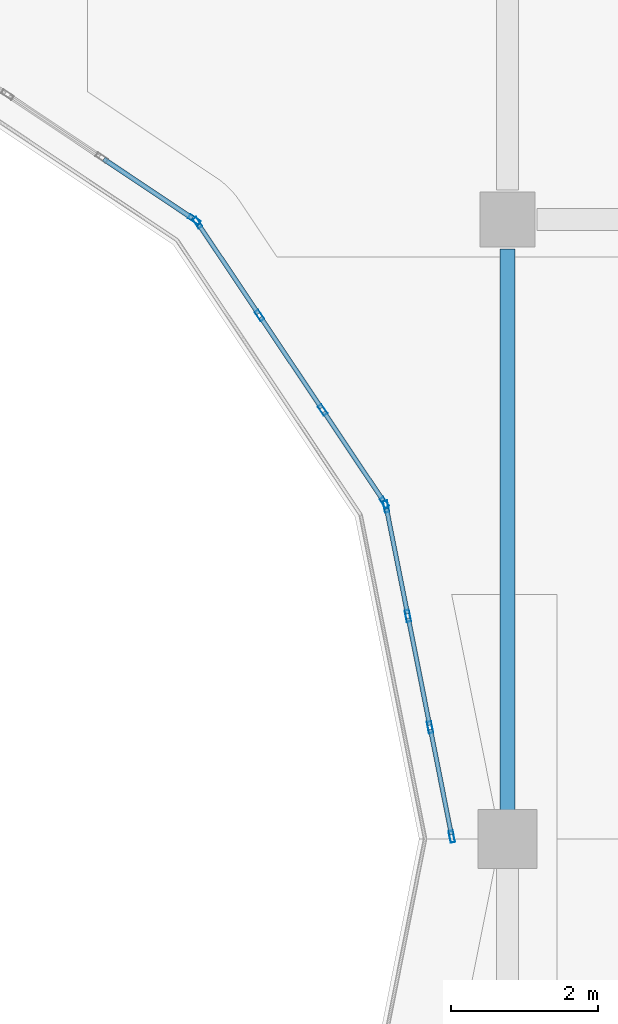
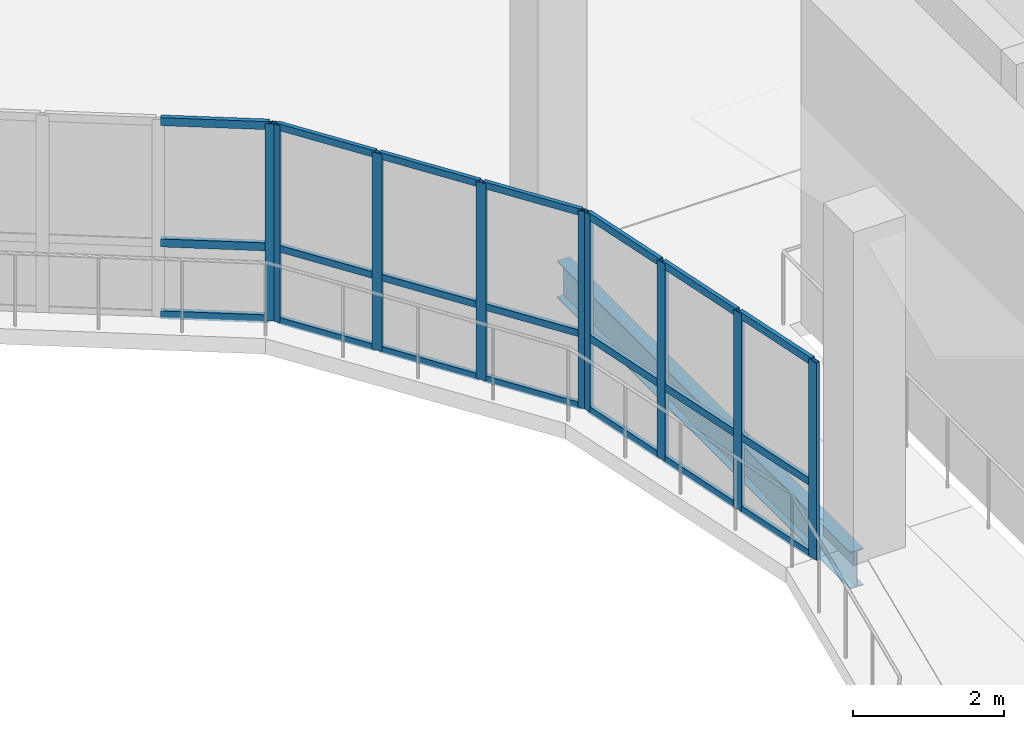
# One storey, part 25 of 110: 30 members, 1 beam, 3 elements without a shape of their own.
"""IFC4 building model written with IfcOpenShell, lengths in metres."""

from ifc_helpers import new_model, si_unit, direction, frame, origin, origin_2d, place, context, subcontext, project, spatial, hollow_rectangle, i_section, extrude, material, layer, layer_set, material_profile, profile_set, type_object, element, aggregate, save


model = new_model("IFC4")

# Units and contexts
model_context = context("Model", 3, precision=1e-05, world=origin(), true_north=direction((0.0, 1.0)))
body_context = subcontext(model_context, "Body", "Model", "MODEL_VIEW")
ifc_project = project(units=[si_unit("LENGTHUNIT", "METRE"), si_unit("AREAUNIT", "SQUARE_METRE"), si_unit("VOLUMEUNIT", "CUBIC_METRE"), si_unit("PLANEANGLEUNIT", "RADIAN"), si_unit("MASSUNIT", "GRAM", prefix="KILO"), si_unit("THERMODYNAMICTEMPERATUREUNIT", "KELVIN")], contexts=[model_context])

# Site, building, storey
site_placement = place(None, origin())
site = spatial("IfcSite", under=ifc_project, at=site_placement, CompositionType="ELEMENT")
building_placement = place(site_placement, origin())
building = spatial("IfcBuilding", under=site, at=building_placement, Name="Lustrewick Department Store", CompositionType="ELEMENT")
storey_placement = place(building_placement, frame((0.0, 0.0, 6.0)))
storey = spatial("IfcBuildingStorey", under=building, at=storey_placement, Name="L02", CompositionType="ELEMENT", Elevation=6.0)

# Curtain wall, members
ifc_material_1 = material(Name="Thermally broken aluminium 6063-T5", Category="aluminium")
ifc_layer_1 = layer(ifc_material_1, 0.169921875, Name="Thermally broken aluminium 6063-T5")
ifc_layer_set_1 = layer_set([ifc_layer_1], Name="Thermally broken aluminium 6063-T5")
curtain_wall_type_1 = type_object("IfcCurtainWallType", Name="CW16", PredefinedType="NOTDEFINED", material=ifc_layer_set_1)
curtain_wall_1_placement = place(storey_placement, origin())
curtain_wall_1 = element("IfcCurtainWall", 1, at=curtain_wall_1_placement, inside=storey, type_object=curtain_wall_type_1, Name="L02 Atrium Glazed Screen CW16", PredefinedType="NOTDEFINED")
ifc_material_profile_1 = material_profile(ifc_material_1, hollow_rectangle(XDim=0.06494140625, YDim=0.169921875, WallThickness=0.00390625, at=origin_2d()), Name="ALU-M 65x170x4")
ifc_profile_set_1 = profile_set([ifc_material_profile_1], Name="Thermally broken aluminium 6063-T5")
member_type_1 = type_object("IfcMemberType", Name="CW16-M1", PredefinedType="MULLION", material=ifc_profile_set_1)
member_1_placement = place(storey_placement, frame((37.752197265625, 75.59716796875, 0.0), z_axis=(0.0, 0.0, 1.0), x_axis=(-0.555578313862, -0.831464212799, 0.0)))
member_1 = element("IfcMember", 2, at=member_1_placement, type_object=member_type_1, Name="CW16 mullion 1", PredefinedType="MULLION", context=body_context, shape_type="SweptSolid", body=[
    extrude(hollow_rectangle(XDim=0.06494140625, YDim=0.169921875, WallThickness=0.00390625, at=origin_2d()), origin(), (0.0, 0.0, 1.0), 3.199951171875),
])
ifc_material_profile_2 = material_profile(ifc_material_1, hollow_rectangle(XDim=0.06494140625, YDim=0.1298828125, WallThickness=0.00341796875, at=origin_2d()), Name="ALU-T 65x130x3.5")
ifc_profile_set_2 = profile_set([ifc_material_profile_2], Name="Thermally broken aluminium 6063-T5")
member_type_2 = type_object("IfcMemberType", Name="CW16-T1", PredefinedType="USERDEFINED", material=ifc_profile_set_2)
member_2_placement = place(storey_placement, frame((37.72509765625, 75.615234375, 0.032470703125), z_axis=(-0.831425427556, 0.555636354474, 0.0), x_axis=(-0.555636354474, -0.831425427556, 0.0)))
member_2 = element("IfcMember", 3, at=member_2_placement, type_object=member_type_2, Name="CW16 transom 1.1", ObjectType="TRANSOM", PredefinedType="USERDEFINED", context=body_context, shape_type="SweptSolid", body=[
    extrude(hollow_rectangle(XDim=0.06494140625, YDim=0.1298828125, WallThickness=0.00341796875, at=origin_2d()), origin(), (0.0, 0.0, 1.0), 1.44384765625),
])
member_3_placement = place(storey_placement, frame((37.72509765625, 75.615234375, 1.199951171875), z_axis=(-0.831425427556, 0.555636354474, 0.0), x_axis=(-0.555636354474, -0.831425427556, 0.0)))
member_3 = element("IfcMember", 4, at=member_3_placement, type_object=member_type_2, Name="CW16 transom 1.2", ObjectType="TRANSOM", PredefinedType="USERDEFINED", context=body_context, shape_type="SweptSolid", body=[
    extrude(hollow_rectangle(XDim=0.06494140625, YDim=0.1298828125, WallThickness=0.00341796875, at=origin_2d()), origin(), (0.0, 0.0, 1.0), 1.44384765625),
])
member_4_placement = place(storey_placement, frame((37.72509765625, 75.615234375, 3.16748046875), z_axis=(-0.831425427556, 0.555636354474, 0.0), x_axis=(-0.555636354474, -0.831425427556, 0.0)))
member_4 = element("IfcMember", 5, at=member_4_placement, type_object=member_type_2, Name="CW16 transom 1.3", ObjectType="TRANSOM", PredefinedType="USERDEFINED", context=body_context, shape_type="SweptSolid", body=[
    extrude(hollow_rectangle(XDim=0.06494140625, YDim=0.1298828125, WallThickness=0.00341796875, at=origin_2d()), origin(), (0.0, 0.0, 1.0), 1.44384765625),
])
aggregate(curtain_wall_1, [member_1, member_2, member_3, member_4])

ifc_layer_2 = layer(ifc_material_1, 0.159912109375, Name="Thermally broken aluminium 6063-T5")
ifc_layer_set_2 = layer_set([ifc_layer_2], Name="Thermally broken aluminium 6063-T5")
curtain_wall_type_2 = type_object("IfcCurtainWallType", Name="CW17", PredefinedType="NOTDEFINED", material=ifc_layer_set_2)
curtain_wall_2_placement = place(storey_placement, origin())
curtain_wall_2 = element("IfcCurtainWall", 6, at=curtain_wall_2_placement, inside=storey, type_object=curtain_wall_type_2, Name="L02 Atrium Glazed Screen CW17", PredefinedType="NOTDEFINED")
ifc_material_profile_3 = material_profile(ifc_material_1, hollow_rectangle(XDim=0.06005859375, YDim=0.159912109375, WallThickness=0.00390625, at=origin_2d()), Name="ALU-M 60x160x4")
ifc_profile_set_3 = profile_set([ifc_material_profile_3], Name="Thermally broken aluminium 6063-T5")
member_type_3 = type_object("IfcMemberType", Name="CW17-M1", PredefinedType="MULLION", material=ifc_profile_set_3)
member_5_placement = place(storey_placement, frame((41.244140625, 67.2294921875, 0.0), z_axis=(0.0, 0.0, 1.0), x_axis=(-0.980786430993, -0.195084537521, 0.0)))
member_5 = element("IfcMember", 7, at=member_5_placement, type_object=member_type_3, Name="CW17 mullion 1", PredefinedType="MULLION", context=body_context, shape_type="SweptSolid", body=[
    extrude(hollow_rectangle(XDim=0.06005859375, YDim=0.159912109375, WallThickness=0.00390625, at=origin_2d()), origin(), (0.0, 0.0, 1.0), 3.199951171875),
])
member_6_placement = place(storey_placement, frame((40.94921875, 68.711669921875, 0.0), z_axis=(0.0, 0.0, 1.0), x_axis=(-0.980786430993, -0.195084537521, 0.0)))
member_6 = element("IfcMember", 8, at=member_6_placement, type_object=member_type_3, Name="CW17 mullion 2", PredefinedType="MULLION", context=body_context, shape_type="SweptSolid", body=[
    extrude(hollow_rectangle(XDim=0.06005859375, YDim=0.159912109375, WallThickness=0.00390625, at=origin_2d()), origin(), (0.0, 0.0, 1.0), 3.199951171875),
])
member_7_placement = place(storey_placement, frame((40.648681640625, 70.22314453125, 0.0), z_axis=(0.0, 0.0, 1.0), x_axis=(-0.980786430993, -0.195084537521, 0.0)))
member_7 = element("IfcMember", 9, at=member_7_placement, type_object=member_type_3, Name="CW17 mullion 3", PredefinedType="MULLION", context=body_context, shape_type="SweptSolid", body=[
    extrude(hollow_rectangle(XDim=0.06005859375, YDim=0.159912109375, WallThickness=0.00390625, at=origin_2d()), origin(), (0.0, 0.0, 1.0), 3.199951171875),
])
member_8_placement = place(storey_placement, frame((40.353759765625, 71.705322265625, 0.0), z_axis=(0.0, 0.0, 1.0), x_axis=(-0.980786430993, -0.195084537521, 0.0)))
member_8 = element("IfcMember", 10, at=member_8_placement, type_object=member_type_3, Name="CW17 mullion 4", PredefinedType="MULLION", context=body_context, shape_type="SweptSolid", body=[
    extrude(hollow_rectangle(XDim=0.06005859375, YDim=0.159912109375, WallThickness=0.00390625, at=origin_2d()), origin(), (0.0, 0.0, 1.0), 3.199951171875),
])
ifc_material_profile_4 = material_profile(ifc_material_1, hollow_rectangle(XDim=0.06005859375, YDim=0.1201171875, WallThickness=0.00341796875, at=origin_2d()), Name="ALU-T 60x120x3.5")
ifc_profile_set_4 = profile_set([ifc_material_profile_4], Name="Thermally broken aluminium 6063-T5")
member_type_4 = type_object("IfcMemberType", Name="CW17-T1", PredefinedType="USERDEFINED", material=ifc_profile_set_4)
member_9_placement = place(storey_placement, frame((41.23828125, 67.2587890625, 0.030029296875), z_axis=(-0.195145487909, 0.980774305612, 0.0), x_axis=(-0.980774305612, -0.195145487909, 0.0)))
member_9 = element("IfcMember", 11, at=member_9_placement, type_object=member_type_4, Name="CW17 transom 1.1", ObjectType="TRANSOM", PredefinedType="USERDEFINED", context=body_context, shape_type="SweptSolid", body=[
    extrude(hollow_rectangle(XDim=0.06005859375, YDim=0.1201171875, WallThickness=0.00341796875, at=origin_2d()), origin(), (0.0, 0.0, 1.0), 1.451171875),
])
member_10_placement = place(storey_placement, frame((41.23828125, 67.2587890625, 1.199951171875), z_axis=(-0.195145487909, 0.980774305612, 0.0), x_axis=(-0.980774305612, -0.195145487909, 0.0)))
member_10 = element("IfcMember", 12, at=member_10_placement, type_object=member_type_4, Name="CW17 transom 1.2", ObjectType="TRANSOM", PredefinedType="USERDEFINED", context=body_context, shape_type="SweptSolid", body=[
    extrude(hollow_rectangle(XDim=0.06005859375, YDim=0.1201171875, WallThickness=0.00341796875, at=origin_2d()), origin(), (0.0, 0.0, 1.0), 1.451171875),
])
member_11_placement = place(storey_placement, frame((41.23828125, 67.2587890625, 3.169921875), z_axis=(-0.195145487909, 0.980774305612, 0.0), x_axis=(-0.980774305612, -0.195145487909, 0.0)))
member_11 = element("IfcMember", 13, at=member_11_placement, type_object=member_type_4, Name="CW17 transom 1.3", ObjectType="TRANSOM", PredefinedType="USERDEFINED", context=body_context, shape_type="SweptSolid", body=[
    extrude(hollow_rectangle(XDim=0.06005859375, YDim=0.1201171875, WallThickness=0.00341796875, at=origin_2d()), origin(), (0.0, 0.0, 1.0), 1.451171875),
])
member_12_placement = place(storey_placement, frame((40.943359375, 68.740966796875, 0.030029296875), z_axis=(-0.194974982249, 0.980808215859, 0.0), x_axis=(-0.980808215859, -0.194974982249, 0.0)))
member_12 = element("IfcMember", 14, at=member_12_placement, type_object=member_type_4, Name="CW17 transom 2.1", ObjectType="TRANSOM", PredefinedType="USERDEFINED", context=body_context, shape_type="SweptSolid", body=[
    extrude(hollow_rectangle(XDim=0.06005859375, YDim=0.1201171875, WallThickness=0.00341796875, at=origin_2d()), origin(), (0.0, 0.0, 1.0), 1.481201171875),
])
member_13_placement = place(storey_placement, frame((40.943359375, 68.740966796875, 1.199951171875), z_axis=(-0.194974982249, 0.980808215859, 0.0), x_axis=(-0.980808215859, -0.194974982249, 0.0)))
member_13 = element("IfcMember", 15, at=member_13_placement, type_object=member_type_4, Name="CW17 transom 2.2", ObjectType="TRANSOM", PredefinedType="USERDEFINED", context=body_context, shape_type="SweptSolid", body=[
    extrude(hollow_rectangle(XDim=0.06005859375, YDim=0.1201171875, WallThickness=0.00341796875, at=origin_2d()), origin(), (0.0, 0.0, 1.0), 1.481201171875),
])
member_14_placement = place(storey_placement, frame((40.943359375, 68.740966796875, 3.169921875), z_axis=(-0.194974982249, 0.980808215859, 0.0), x_axis=(-0.980808215859, -0.194974982249, 0.0)))
member_14 = element("IfcMember", 16, at=member_14_placement, type_object=member_type_4, Name="CW17 transom 2.3", ObjectType="TRANSOM", PredefinedType="USERDEFINED", context=body_context, shape_type="SweptSolid", body=[
    extrude(hollow_rectangle(XDim=0.06005859375, YDim=0.1201171875, WallThickness=0.00341796875, at=origin_2d()), origin(), (0.0, 0.0, 1.0), 1.481201171875),
])
member_15_placement = place(storey_placement, frame((40.642822265625, 70.252685546875, 0.030029296875), z_axis=(-0.195145487909, 0.980774305612, 0.0), x_axis=(-0.980774305612, -0.195145487909, 0.0)))
member_15 = element("IfcMember", 17, at=member_15_placement, type_object=member_type_4, Name="CW17 transom 3.1", ObjectType="TRANSOM", PredefinedType="USERDEFINED", context=body_context, shape_type="SweptSolid", body=[
    extrude(hollow_rectangle(XDim=0.06005859375, YDim=0.1201171875, WallThickness=0.00341796875, at=origin_2d()), origin(), (0.0, 0.0, 1.0), 1.451171875),
])
member_16_placement = place(storey_placement, frame((40.642822265625, 70.252685546875, 1.199951171875), z_axis=(-0.195145487909, 0.980774305612, 0.0), x_axis=(-0.980774305612, -0.195145487909, 0.0)))
member_16 = element("IfcMember", 18, at=member_16_placement, type_object=member_type_4, Name="CW17 transom 3.2", ObjectType="TRANSOM", PredefinedType="USERDEFINED", context=body_context, shape_type="SweptSolid", body=[
    extrude(hollow_rectangle(XDim=0.06005859375, YDim=0.1201171875, WallThickness=0.00341796875, at=origin_2d()), origin(), (0.0, 0.0, 1.0), 1.451171875),
])
member_17_placement = place(storey_placement, frame((40.642822265625, 70.252685546875, 3.169921875), z_axis=(-0.195145487909, 0.980774305612, 0.0), x_axis=(-0.980774305612, -0.195145487909, 0.0)))
member_17 = element("IfcMember", 19, at=member_17_placement, type_object=member_type_4, Name="CW17 transom 3.3", ObjectType="TRANSOM", PredefinedType="USERDEFINED", context=body_context, shape_type="SweptSolid", body=[
    extrude(hollow_rectangle(XDim=0.06005859375, YDim=0.1201171875, WallThickness=0.00341796875, at=origin_2d()), origin(), (0.0, 0.0, 1.0), 1.451171875),
])
aggregate(curtain_wall_2, [member_5, member_6, member_7, member_8, member_9, member_10, member_11, member_12, member_13, member_14, member_15, member_16, member_17])

ifc_layer_3 = layer(ifc_material_1, 0.14990234375, Name="Thermally broken aluminium 6063-T5")
ifc_layer_set_3 = layer_set([ifc_layer_3], Name="Thermally broken aluminium 6063-T5")
curtain_wall_type_3 = type_object("IfcCurtainWallType", Name="CW18", PredefinedType="NOTDEFINED", material=ifc_layer_set_3)
curtain_wall_3_placement = place(storey_placement, origin())
curtain_wall_3 = element("IfcCurtainWall", 20, at=curtain_wall_3_placement, inside=storey, type_object=curtain_wall_type_3, Name="L02 Atrium Glazed Screen CW18", PredefinedType="NOTDEFINED")
ifc_material_profile_5 = material_profile(ifc_material_1, hollow_rectangle(XDim=0.06005859375, YDim=0.14990234375, WallThickness=0.00341796875, at=origin_2d()), Name="ALU-M 60x150x3.5")
ifc_profile_set_5 = profile_set([ifc_material_profile_5], Name="Thermally broken aluminium 6063-T5")
member_type_5 = type_object("IfcMemberType", Name="CW18-M1", PredefinedType="MULLION", material=ifc_profile_set_5)
member_18_placement = place(storey_placement, frame((40.331298828125, 71.759765625, 0.0), z_axis=(0.0, 0.0, 1.0), x_axis=(-0.831464212799, -0.555578313862, 0.0)))
member_18 = element("IfcMember", 21, at=member_18_placement, type_object=member_type_5, Name="CW18 mullion 1", PredefinedType="MULLION", context=body_context, shape_type="SweptSolid", body=[
    extrude(hollow_rectangle(XDim=0.06005859375, YDim=0.14990234375, WallThickness=0.00341796875, at=origin_2d()), origin(), (0.0, 0.0, 1.0), 3.199951171875),
])
member_19_placement = place(storey_placement, frame((39.49169921875, 73.016357421875, 0.0), z_axis=(0.0, 0.0, 1.0), x_axis=(-0.831464212799, -0.555578313862, 0.0)))
member_19 = element("IfcMember", 22, at=member_19_placement, type_object=member_type_5, Name="CW18 mullion 2", PredefinedType="MULLION", context=body_context, shape_type="SweptSolid", body=[
    extrude(hollow_rectangle(XDim=0.06005859375, YDim=0.14990234375, WallThickness=0.00341796875, at=origin_2d()), origin(), (0.0, 0.0, 1.0), 3.199951171875),
])
member_20_placement = place(storey_placement, frame((38.635498046875, 74.2978515625, 0.0), z_axis=(0.0, 0.0, 1.0), x_axis=(-0.831464212799, -0.555578313862, 0.0)))
member_20 = element("IfcMember", 23, at=member_20_placement, type_object=member_type_5, Name="CW18 mullion 3", PredefinedType="MULLION", context=body_context, shape_type="SweptSolid", body=[
    extrude(hollow_rectangle(XDim=0.06005859375, YDim=0.14990234375, WallThickness=0.00341796875, at=origin_2d()), origin(), (0.0, 0.0, 1.0), 3.199951171875),
])
member_21_placement = place(storey_placement, frame((37.7958984375, 75.55419921875, 0.0), z_axis=(0.0, 0.0, 1.0), x_axis=(-0.831464212799, -0.555578313862, 0.0)))
member_21 = element("IfcMember", 24, at=member_21_placement, type_object=member_type_5, Name="CW18 mullion 4", PredefinedType="MULLION", context=body_context, shape_type="SweptSolid", body=[
    extrude(hollow_rectangle(XDim=0.06005859375, YDim=0.14990234375, WallThickness=0.00341796875, at=origin_2d()), origin(), (0.0, 0.0, 1.0), 3.199951171875),
])
ifc_material_profile_6 = material_profile(ifc_material_1, hollow_rectangle(XDim=0.06005859375, YDim=0.110107421875, WallThickness=0.0029296875, at=origin_2d()), Name="ALU-T 60x110x3")
ifc_profile_set_6 = profile_set([ifc_material_profile_6], Name="Thermally broken aluminium 6063-T5")
member_type_6 = type_object("IfcMemberType", Name="CW18-T1", PredefinedType="USERDEFINED", material=ifc_profile_set_6)
member_22_placement = place(storey_placement, frame((40.314697265625, 71.78466796875, 0.030029296875), z_axis=(-0.555670388234, 0.831402682002, 0.0), x_axis=(-0.831402682002, -0.555670388234, 0.0)))
member_22 = element("IfcMember", 25, at=member_22_placement, type_object=member_type_6, Name="CW18 transom 1.1", ObjectType="TRANSOM", PredefinedType="USERDEFINED", context=body_context, shape_type="SweptSolid", body=[
    extrude(hollow_rectangle(XDim=0.06005859375, YDim=0.110107421875, WallThickness=0.0029296875, at=origin_2d()), origin(), (0.0, 0.0, 1.0), 1.451171875),
])
member_23_placement = place(storey_placement, frame((40.314697265625, 71.78466796875, 1.199951171875), z_axis=(-0.555670388234, 0.831402682002, 0.0), x_axis=(-0.831402682002, -0.555670388234, 0.0)))
member_23 = element("IfcMember", 26, at=member_23_placement, type_object=member_type_6, Name="CW18 transom 1.2", ObjectType="TRANSOM", PredefinedType="USERDEFINED", context=body_context, shape_type="SweptSolid", body=[
    extrude(hollow_rectangle(XDim=0.06005859375, YDim=0.110107421875, WallThickness=0.0029296875, at=origin_2d()), origin(), (0.0, 0.0, 1.0), 1.451171875),
])
member_24_placement = place(storey_placement, frame((40.314697265625, 71.78466796875, 3.169921875), z_axis=(-0.555670388234, 0.831402682002, 0.0), x_axis=(-0.831402682002, -0.555670388234, 0.0)))
member_24 = element("IfcMember", 27, at=member_24_placement, type_object=member_type_6, Name="CW18 transom 1.3", ObjectType="TRANSOM", PredefinedType="USERDEFINED", context=body_context, shape_type="SweptSolid", body=[
    extrude(hollow_rectangle(XDim=0.06005859375, YDim=0.110107421875, WallThickness=0.0029296875, at=origin_2d()), origin(), (0.0, 0.0, 1.0), 1.451171875),
])
member_25_placement = place(storey_placement, frame((39.47509765625, 73.041259765625, 0.030029296875), z_axis=(-0.555650791413, 0.83141577926, 0.0), x_axis=(-0.83141577926, -0.555650791413, 0.0)))
member_25 = element("IfcMember", 28, at=member_25_placement, type_object=member_type_6, Name="CW18 transom 2.1", ObjectType="TRANSOM", PredefinedType="USERDEFINED", context=body_context, shape_type="SweptSolid", body=[
    extrude(hollow_rectangle(XDim=0.06005859375, YDim=0.110107421875, WallThickness=0.0029296875, at=origin_2d()), origin(), (0.0, 0.0, 1.0), 1.481201171875),
])
member_26_placement = place(storey_placement, frame((39.47509765625, 73.041259765625, 1.199951171875), z_axis=(-0.555650791413, 0.83141577926, 0.0), x_axis=(-0.83141577926, -0.555650791413, 0.0)))
member_26 = element("IfcMember", 29, at=member_26_placement, type_object=member_type_6, Name="CW18 transom 2.2", ObjectType="TRANSOM", PredefinedType="USERDEFINED", context=body_context, shape_type="SweptSolid", body=[
    extrude(hollow_rectangle(XDim=0.06005859375, YDim=0.110107421875, WallThickness=0.0029296875, at=origin_2d()), origin(), (0.0, 0.0, 1.0), 1.481201171875),
])
member_27_placement = place(storey_placement, frame((39.47509765625, 73.041259765625, 3.169921875), z_axis=(-0.555650791413, 0.83141577926, 0.0), x_axis=(-0.83141577926, -0.555650791413, 0.0)))
member_27 = element("IfcMember", 30, at=member_27_placement, type_object=member_type_6, Name="CW18 transom 2.3", ObjectType="TRANSOM", PredefinedType="USERDEFINED", context=body_context, shape_type="SweptSolid", body=[
    extrude(hollow_rectangle(XDim=0.06005859375, YDim=0.110107421875, WallThickness=0.0029296875, at=origin_2d()), origin(), (0.0, 0.0, 1.0), 1.481201171875),
])
member_28_placement = place(storey_placement, frame((38.618896484375, 74.32275390625, 0.030029296875), z_axis=(-0.555670388234, 0.831402682002, 0.0), x_axis=(-0.831402682002, -0.555670388234, 0.0)))
member_28 = element("IfcMember", 31, at=member_28_placement, type_object=member_type_6, Name="CW18 transom 3.1", ObjectType="TRANSOM", PredefinedType="USERDEFINED", context=body_context, shape_type="SweptSolid", body=[
    extrude(hollow_rectangle(XDim=0.06005859375, YDim=0.110107421875, WallThickness=0.0029296875, at=origin_2d()), origin(), (0.0, 0.0, 1.0), 1.451171875),
])
member_29_placement = place(storey_placement, frame((38.618896484375, 74.32275390625, 1.199951171875), z_axis=(-0.555670388234, 0.831402682002, 0.0), x_axis=(-0.831402682002, -0.555670388234, 0.0)))
member_29 = element("IfcMember", 32, at=member_29_placement, type_object=member_type_6, Name="CW18 transom 3.2", ObjectType="TRANSOM", PredefinedType="USERDEFINED", context=body_context, shape_type="SweptSolid", body=[
    extrude(hollow_rectangle(XDim=0.06005859375, YDim=0.110107421875, WallThickness=0.0029296875, at=origin_2d()), origin(), (0.0, 0.0, 1.0), 1.451171875),
])
member_30_placement = place(storey_placement, frame((38.618896484375, 74.32275390625, 3.169921875), z_axis=(-0.555670388234, 0.831402682002, 0.0), x_axis=(-0.831402682002, -0.555670388234, 0.0)))
member_30 = element("IfcMember", 33, at=member_30_placement, type_object=member_type_6, Name="CW18 transom 3.3", ObjectType="TRANSOM", PredefinedType="USERDEFINED", context=body_context, shape_type="SweptSolid", body=[
    extrude(hollow_rectangle(XDim=0.06005859375, YDim=0.110107421875, WallThickness=0.0029296875, at=origin_2d()), origin(), (0.0, 0.0, 1.0), 1.451171875),
])
aggregate(curtain_wall_3, [member_18, member_19, member_20, member_21, member_22, member_23, member_24, member_25, member_26, member_27, member_28, member_29, member_30])

# Beam
ifc_material_2 = material(Name="Structural steel Q355B", Category="steel")
ifc_material_profile_7 = material_profile(ifc_material_2, i_section(OverallWidth=0.199951171875, OverallDepth=0.60009765625, WebThickness=0.010986328125, FlangeThickness=0.01708984375, FilletRadius=0.01806640625, at=origin_2d()), Name="HN 600x200x11x17")
ifc_profile_set_7 = profile_set([ifc_material_profile_7], Name="Structural steel Q355B")
beam_type = type_object("IfcBeamType", Name="G14", PredefinedType="BEAM", material=ifc_profile_set_7)
beam_placement = place(storey_placement, frame((42.0, 67.39990234375, -0.554931640625), z_axis=(0.0, 1.0, 0.0), x_axis=(-1.0, 0.0, 0.0)))
element("IfcBeam", 34, at=beam_placement, inside=storey, type_object=beam_type, Name="L02 V1 Girder G14", PredefinedType="BEAM", context=body_context, shape_type="SweptSolid", body=[
    extrude(i_section(OverallWidth=0.199951171875, OverallDepth=0.60009765625, WebThickness=0.010986328125, FlangeThickness=0.01708984375, FilletRadius=0.01806640625, at=origin_2d()), origin(), (0.0, 0.0, 1.0), 7.800048828125),
])

save(model, "model.ifc")
